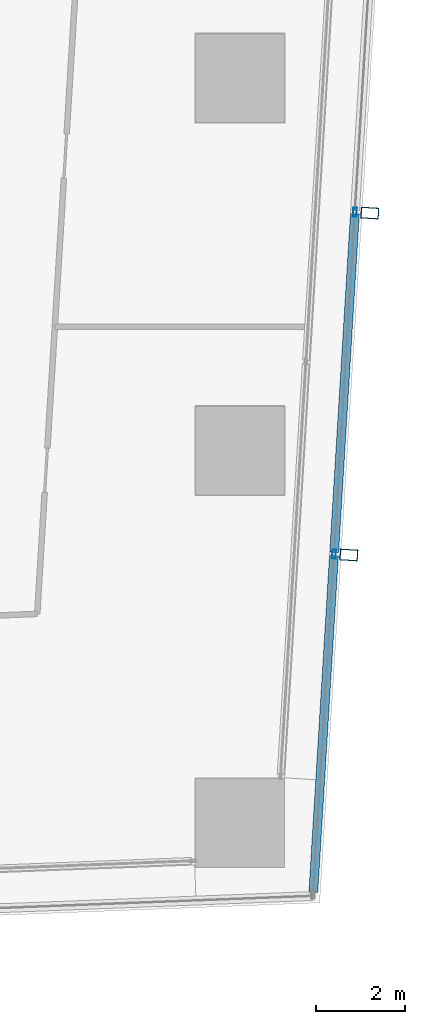
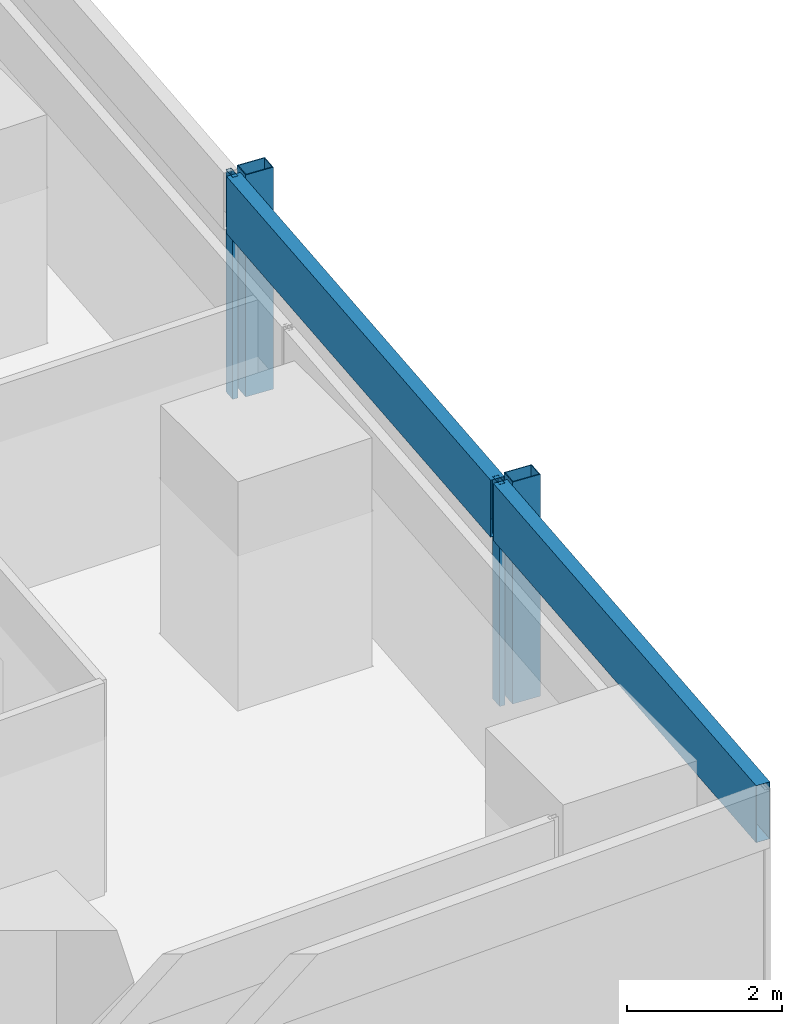
# One storey, part 23 of 39: 6 members, 1 element without a shape of its own.
"""IFC4 building model written with IfcOpenShell, lengths in metres."""

from ifc_helpers import new_model, si_unit, direction, frame, origin, origin_2d, place, context, subcontext, project, spatial, hollow_rectangle, extrude, material, material_profile, profile_set, type_object, element, aggregate, save


model = new_model("IFC4")

# Units and contexts
model_context = context("Model", 3, precision=1e-05, world=origin(), true_north=direction((0.0, 1.0)))
body_context = subcontext(model_context, "Body", "Model", "MODEL_VIEW")
ifc_project = project(units=[si_unit("LENGTHUNIT", "METRE"), si_unit("AREAUNIT", "SQUARE_METRE"), si_unit("VOLUMEUNIT", "CUBIC_METRE"), si_unit("PLANEANGLEUNIT", "RADIAN"), si_unit("MASSUNIT", "GRAM", prefix="KILO")], contexts=[model_context])

# Site, building, storey
site_placement = place(None, origin())
site = spatial("IfcSite", under=ifc_project, at=site_placement, CompositionType="ELEMENT")
building_placement = place(site_placement, origin())
building = spatial("IfcBuilding", under=site, at=building_placement, Name="Rekha Terrace Tower", CompositionType="ELEMENT")
storey_placement = place(building_placement, frame((0.0, 0.0, 147.800048828125)))
storey = spatial("IfcBuildingStorey", under=building, at=storey_placement, Name="L37", CompositionType="ELEMENT", Elevation=147.800048828125)

# Curtain wall, members
ifc_material_1 = material(Name="Aluminium framing", Category="aluminium")
curtain_wall_type = type_object("IfcCurtainWallType", Name="CW2 double skin outer glazing", PredefinedType="USERDEFINED", material=ifc_material_1)
curtain_wall_placement = place(storey_placement, origin())
curtain_wall = element("IfcCurtainWall", 1, at=curtain_wall_placement, inside=storey, type_object=curtain_wall_type, Name="CW2 double skin outer glazing", ObjectType="DOUBLE SKIN OUTER GLAZING", PredefinedType="USERDEFINED")
ifc_material_2 = material(Name="Steel S355 with fluorocarbon finish", Category="steel")
ifc_material_profile_1 = material_profile(ifc_material_2, hollow_rectangle(XDim=0.25, YDim=0.39990234375, WallThickness=0.012451171875, at=origin_2d()), Name="RHS400x250x12.5")
ifc_profile_set_1 = profile_set([ifc_material_profile_1], Name="Steel S355 with fluorocarbon finish")
member_type_1 = type_object("IfcMemberType", Name="BL1 facade blade RHS 400 x 250", PredefinedType="USERDEFINED", material=ifc_profile_set_1)
member_1_placement = place(storey_placement, frame((69.656005859375, 22.845703125, 0.0), z_axis=(0.0, 0.0, 1.0), x_axis=(0.061160031881, 0.998127973008, 0.0)))
member_1 = element("IfcMember", 2, at=member_1_placement, type_object=member_type_1, Name="Facade blade", ObjectType="FACADE BLADE", PredefinedType="USERDEFINED", context=body_context, shape_type="SweptSolid", body=[
    extrude(hollow_rectangle(XDim=0.25, YDim=0.39990234375, WallThickness=0.012451171875, at=origin_2d()), origin(), (0.0, 0.0, 1.0), 3.5),
])
member_2_placement = place(storey_placement, frame((70.128662109375, 30.557861328125, 0.0), z_axis=(0.0, 0.0, 1.0), x_axis=(0.061160031881, 0.998127973008, 0.0)))
member_2 = element("IfcMember", 3, at=member_2_placement, type_object=member_type_1, Name="Facade blade", ObjectType="FACADE BLADE", PredefinedType="USERDEFINED", context=body_context, shape_type="SweptSolid", body=[
    extrude(hollow_rectangle(XDim=0.25, YDim=0.39990234375, WallThickness=0.012451171875, at=origin_2d()), origin(), (0.0, 0.0, 1.0), 3.5),
])
ifc_material_3 = material(Name="Aluminium mullion section", Category="aluminium")
ifc_material_profile_2 = material_profile(ifc_material_3, hollow_rectangle(XDim=0.080078125, YDim=0.199951171875, WallThickness=0.00390625, at=origin_2d()), Name="AL RHS 80x200")
ifc_profile_set_2 = profile_set([ifc_material_profile_2], Name="Aluminium mullion section")
member_type_2 = type_object("IfcMemberType", Name="CW2 mullion RHS 80 x 200", PredefinedType="MULLION", material=ifc_profile_set_2)
member_3_placement = place(storey_placement, frame((69.32177734375, 22.8662109375, 0.0), z_axis=(0.0, 0.0, 1.0), x_axis=(-0.998127987024, 0.061159803131, 0.0)))
member_3 = element("IfcMember", 4, at=member_3_placement, type_object=member_type_2, Name="CW2 mullion 2", PredefinedType="MULLION", context=body_context, shape_type="SweptSolid", body=[
    extrude(hollow_rectangle(XDim=0.080078125, YDim=0.199951171875, WallThickness=0.00390625, at=origin_2d()), origin(), (0.0, 0.0, 1.0), 3.5),
])
member_4_placement = place(storey_placement, frame((69.794189453125, 30.578369140625, 0.0), z_axis=(0.0, 0.0, 1.0), x_axis=(-0.998127987024, 0.061159803131, 0.0)))
member_4 = element("IfcMember", 5, at=member_4_placement, type_object=member_type_2, Name="CW2 mullion 3", PredefinedType="MULLION", context=body_context, shape_type="SweptSolid", body=[
    extrude(hollow_rectangle(XDim=0.080078125, YDim=0.199951171875, WallThickness=0.00390625, at=origin_2d()), origin(), (0.0, 0.0, 1.0), 3.5),
])
ifc_material_4 = material(Name="Insulated aluminium spandrel box", Category="aluminium")
ifc_material_profile_3 = material_profile(ifc_material_4, hollow_rectangle(XDim=0.199951171875, YDim=0.89990234375, WallThickness=0.0029296875, at=origin_2d()), Name="AL SPANDREL BOX 200x900")
ifc_profile_set_3 = profile_set([ifc_material_profile_3], Name="Insulated aluminium spandrel box")
member_type_3 = type_object("IfcMemberType", Name="CW2 spandrel transom 200 x 900", PredefinedType="USERDEFINED", material=ifc_profile_set_3)
member_5_placement = place(storey_placement, frame((68.85400390625, 15.234130859375, 3.050048828125), z_axis=(0.061175320944, 0.998127036057, 0.0), x_axis=(-0.998127036057, 0.061175320944, 0.0)))
member_5 = element("IfcMember", 6, at=member_5_placement, type_object=member_type_3, Name="CW2 spandrel transom 1", ObjectType="TRANSOM", PredefinedType="USERDEFINED", context=body_context, shape_type="SweptSolid", body=[
    extrude(hollow_rectangle(XDim=0.199951171875, YDim=0.89990234375, WallThickness=0.0029296875, at=origin_2d()), origin(), (0.0, 0.0, 1.0), 7.6064453125),
])
member_6_placement = place(storey_placement, frame((69.32421875, 22.90625, 3.050048828125), z_axis=(0.061141871886, 0.998129085591, 0.0), x_axis=(-0.998129085591, 0.061141871886, 0.0)))
member_6 = element("IfcMember", 7, at=member_6_placement, type_object=member_type_3, Name="CW2 spandrel transom 2", ObjectType="TRANSOM", PredefinedType="USERDEFINED", context=body_context, shape_type="SweptSolid", body=[
    extrude(hollow_rectangle(XDim=0.199951171875, YDim=0.89990234375, WallThickness=0.0029296875, at=origin_2d()), origin(), (0.0, 0.0, 1.0), 7.646728515625),
])
aggregate(curtain_wall, [member_3, member_4, member_5, member_6, member_1, member_2])

save(model, "model.ifc")
